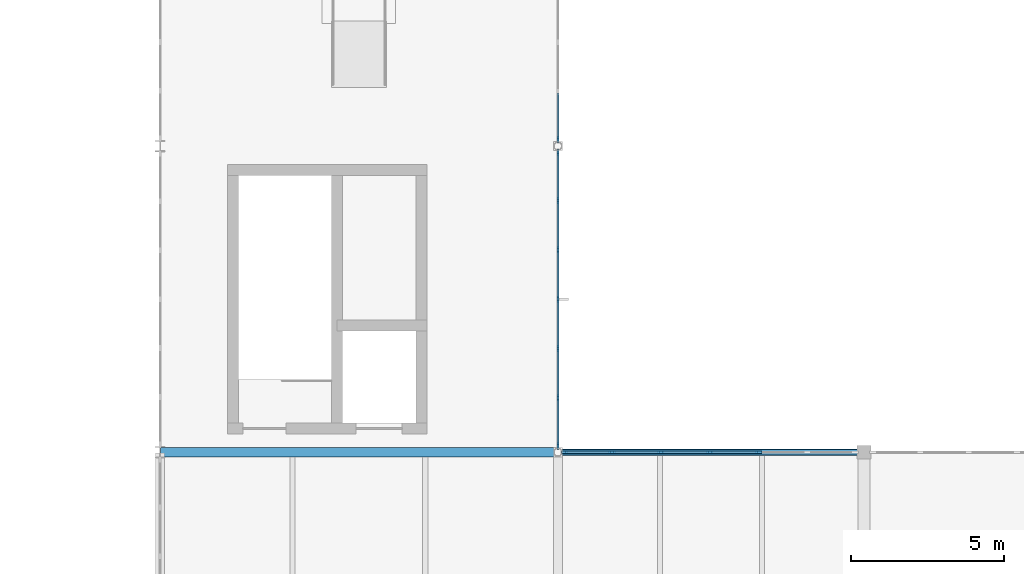
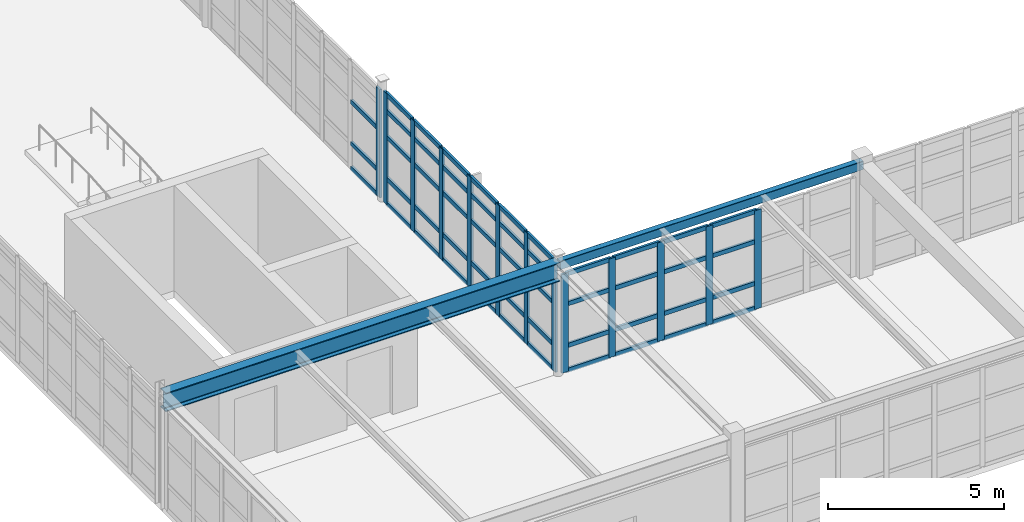
# One storey, part 67 of 122: 62 members, 2 beams, 3 elements without a shape of their own.
"""IFC4 building model written with IfcOpenShell, lengths in metres."""

from ifc_helpers import new_model, si_unit, direction, frame, origin, origin_2d, place, context, subcontext, project, spatial, rectangle, hollow_rectangle, i_section, extrude, material, layer, layer_set, material_profile, profile_set, type_object, element, aggregate, save


model = new_model("IFC4")

# Units and contexts
model_context = context("Model", 3, precision=1e-05, world=origin(), true_north=direction((0.0, 1.0)))
body_context = subcontext(model_context, "Body", "Model", "MODEL_VIEW")
ifc_project = project(units=[si_unit("LENGTHUNIT", "METRE"), si_unit("AREAUNIT", "SQUARE_METRE"), si_unit("VOLUMEUNIT", "CUBIC_METRE"), si_unit("PLANEANGLEUNIT", "RADIAN"), si_unit("MASSUNIT", "GRAM", prefix="KILO"), si_unit("THERMODYNAMICTEMPERATUREUNIT", "KELVIN"), si_unit("POWERUNIT", "WATT")], contexts=[model_context])

# Site, building, storey
site_placement = place(None, origin())
site = spatial("IfcSite", under=ifc_project, at=site_placement, CompositionType="ELEMENT")
building_placement = place(site_placement, origin())
building = spatial("IfcBuilding", under=site, at=building_placement, Name="Korenveer Ferry Terminal", CompositionType="ELEMENT")
storey_placement = place(building_placement, frame((0.0, 0.0, 10.199951171875)))
storey = spatial("IfcBuildingStorey", under=building, at=storey_placement, Name="L02", CompositionType="ELEMENT", Elevation=10.199951171875)

# Curtain wall, members
ifc_material_1 = material(Name="Unitised bronze-and-glass curtain wall", Category="glass")
ifc_layer_1 = layer(ifc_material_1, 0.219970703125)
ifc_layer_set_1 = layer_set([ifc_layer_1], Name="Unitised bronze-and-glass curtain wall")
curtain_wall_type_1 = type_object("IfcCurtainWallType", Name="ENV-CW-98", PredefinedType="USERDEFINED", material=ifc_layer_set_1)
curtain_wall_1_placement = place(storey_placement, frame((136.16650390625, 80.0, 0.0)))
curtain_wall_1 = element("IfcCurtainWall", 1, at=curtain_wall_1_placement, inside=storey, type_object=curtain_wall_type_1, Name="Lancet curtain wall CWX-L02-X136-146-Y80-80", ObjectType="UNITISED CURTAIN WALL", PredefinedType="USERDEFINED")
ifc_material_2 = material(Name="Anodised bronze aluminium", Category="aluminium")
ifc_material_profile_1 = material_profile(ifc_material_2, rectangle(XDim=0.074951171875, YDim=0.219970703125, at=origin_2d()), Name="ALU 75x220")
ifc_profile_set_1 = profile_set([ifc_material_profile_1], Name="Anodised bronze aluminium")
member_type_1 = type_object("IfcMemberType", Name="ENV-CWM-75X220", PredefinedType="MULLION", material=ifc_profile_set_1)
member_1_placement = place(storey_placement, frame((136.2041015625, 80.0, 0.0), z_axis=(0.0, 0.0, 1.0), x_axis=(0.0, 1.0, 0.0)))
member_1 = element("IfcMember", 2, at=member_1_placement, type_object=member_type_1, Name="CW-98 mullion 1", PredefinedType="MULLION", context=body_context, shape_type="SweptSolid", body=[
    extrude(rectangle(XDim=0.074951171875, YDim=0.219970703125, at=origin_2d()), origin(), (0.0, 0.0, 1.0), 3.429931640625),
])
member_2_placement = place(storey_placement, frame((137.762939453125, 80.0, 0.0), z_axis=(0.0, 0.0, 1.0), x_axis=(0.0, 1.0, 0.0)))
member_2 = element("IfcMember", 3, at=member_2_placement, type_object=member_type_1, Name="CW-98 mullion 2", PredefinedType="MULLION", context=body_context, shape_type="SweptSolid", body=[
    extrude(rectangle(XDim=0.074951171875, YDim=0.219970703125, at=origin_2d()), origin(), (0.0, 0.0, 1.0), 3.429931640625),
])
member_3_placement = place(storey_placement, frame((139.359375, 80.0, 0.0), z_axis=(0.0, 0.0, 1.0), x_axis=(0.0, 1.0, 0.0)))
member_3 = element("IfcMember", 4, at=member_3_placement, type_object=member_type_1, Name="CW-98 mullion 3", PredefinedType="MULLION", context=body_context, shape_type="SweptSolid", body=[
    extrude(rectangle(XDim=0.074951171875, YDim=0.219970703125, at=origin_2d()), origin(), (0.0, 0.0, 1.0), 3.429931640625),
])
member_4_placement = place(storey_placement, frame((140.955810546875, 80.0, 0.0), z_axis=(0.0, 0.0, 1.0), x_axis=(0.0, 1.0, 0.0)))
member_4 = element("IfcMember", 5, at=member_4_placement, type_object=member_type_1, Name="CW-98 mullion 4", PredefinedType="MULLION", context=body_context, shape_type="SweptSolid", body=[
    extrude(rectangle(XDim=0.074951171875, YDim=0.219970703125, at=origin_2d()), origin(), (0.0, 0.0, 1.0), 3.429931640625),
])
member_5_placement = place(storey_placement, frame((142.55224609375, 80.0, 0.0), z_axis=(0.0, 0.0, 1.0), x_axis=(0.0, 1.0, 0.0)))
member_5 = element("IfcMember", 6, at=member_5_placement, type_object=member_type_1, Name="CW-98 mullion 5", PredefinedType="MULLION", context=body_context, shape_type="SweptSolid", body=[
    extrude(rectangle(XDim=0.074951171875, YDim=0.219970703125, at=origin_2d()), origin(), (0.0, 0.0, 1.0), 3.429931640625),
])

ifc_layer_2 = layer(ifc_material_1, 0.219970703125)
ifc_layer_set_2 = layer_set([ifc_layer_2], Name="Unitised bronze-and-glass curtain wall")
curtain_wall_type_2 = type_object("IfcCurtainWallType", Name="ENV-CW-110", PredefinedType="USERDEFINED", material=ifc_layer_set_2)
curtain_wall_2_placement = place(storey_placement, frame((136.0, 89.83349609375, 0.0)))
curtain_wall_2 = element("IfcCurtainWall", 7, at=curtain_wall_2_placement, inside=storey, type_object=curtain_wall_type_2, Name="Lancet curtain wall CWX-L02-X136-136-Y80-90", ObjectType="UNITISED CURTAIN WALL", PredefinedType="USERDEFINED")
member_6_placement = place(storey_placement, frame((136.0, 89.7958984375, 0.0), z_axis=(0.0, 0.0, 1.0), x_axis=(1.0, 0.0, 0.0)))
member_6 = element("IfcMember", 8, at=member_6_placement, type_object=member_type_1, Name="CW-110 mullion 1", PredefinedType="MULLION", context=body_context, shape_type="SweptSolid", body=[
    extrude(rectangle(XDim=0.074951171875, YDim=0.219970703125, at=origin_2d()), origin(), (0.0, 0.0, 1.0), 3.860107421875),
])
member_7_placement = place(storey_placement, frame((136.0, 88.222412109375, 0.0), z_axis=(0.0, 0.0, 1.0), x_axis=(1.0, 0.0, 0.0)))
member_7 = element("IfcMember", 9, at=member_7_placement, type_object=member_type_1, Name="CW-110 mullion 2", PredefinedType="MULLION", context=body_context, shape_type="SweptSolid", body=[
    extrude(rectangle(XDim=0.074951171875, YDim=0.219970703125, at=origin_2d()), origin(), (0.0, 0.0, 1.0), 3.860107421875),
])
member_8_placement = place(storey_placement, frame((136.0, 86.611083984375, 0.0), z_axis=(0.0, 0.0, 1.0), x_axis=(1.0, 0.0, 0.0)))
member_8 = element("IfcMember", 10, at=member_8_placement, type_object=member_type_1, Name="CW-110 mullion 3", PredefinedType="MULLION", context=body_context, shape_type="SweptSolid", body=[
    extrude(rectangle(XDim=0.074951171875, YDim=0.219970703125, at=origin_2d()), origin(), (0.0, 0.0, 1.0), 3.860107421875),
])
member_9_placement = place(storey_placement, frame((136.0, 85.0, 0.0), z_axis=(0.0, 0.0, 1.0), x_axis=(1.0, 0.0, 0.0)))
member_9 = element("IfcMember", 11, at=member_9_placement, type_object=member_type_1, Name="CW-110 mullion 4", PredefinedType="MULLION", context=body_context, shape_type="SweptSolid", body=[
    extrude(rectangle(XDim=0.074951171875, YDim=0.219970703125, at=origin_2d()), origin(), (0.0, 0.0, 1.0), 3.860107421875),
])
member_10_placement = place(storey_placement, frame((136.0, 83.388916015625, 0.0), z_axis=(0.0, 0.0, 1.0), x_axis=(1.0, 0.0, 0.0)))
member_10 = element("IfcMember", 12, at=member_10_placement, type_object=member_type_1, Name="CW-110 mullion 5", PredefinedType="MULLION", context=body_context, shape_type="SweptSolid", body=[
    extrude(rectangle(XDim=0.074951171875, YDim=0.219970703125, at=origin_2d()), origin(), (0.0, 0.0, 1.0), 3.860107421875),
])
member_11_placement = place(storey_placement, frame((136.0, 81.777587890625, 0.0), z_axis=(0.0, 0.0, 1.0), x_axis=(1.0, 0.0, 0.0)))
member_11 = element("IfcMember", 13, at=member_11_placement, type_object=member_type_1, Name="CW-110 mullion 6", PredefinedType="MULLION", context=body_context, shape_type="SweptSolid", body=[
    extrude(rectangle(XDim=0.074951171875, YDim=0.219970703125, at=origin_2d()), origin(), (0.0, 0.0, 1.0), 3.860107421875),
])
member_12_placement = place(storey_placement, frame((136.0, 80.2041015625, 0.0), z_axis=(0.0, 0.0, 1.0), x_axis=(1.0, 0.0, 0.0)))
member_12 = element("IfcMember", 14, at=member_12_placement, type_object=member_type_1, Name="CW-110 mullion 7", PredefinedType="MULLION", context=body_context, shape_type="SweptSolid", body=[
    extrude(rectangle(XDim=0.074951171875, YDim=0.219970703125, at=origin_2d()), origin(), (0.0, 0.0, 1.0), 3.860107421875),
])

# Curtain wall, member
ifc_layer_3 = layer(ifc_material_1, 0.219970703125)
ifc_layer_set_3 = layer_set([ifc_layer_3], Name="Unitised bronze-and-glass curtain wall")
curtain_wall_type_3 = type_object("IfcCurtainWallType", Name="ENV-CW-111", PredefinedType="USERDEFINED", material=ifc_layer_set_3)
curtain_wall_3_placement = place(storey_placement, frame((136.0, 99.83349609375, 0.0)))
curtain_wall_3 = element("IfcCurtainWall", 15, at=curtain_wall_3_placement, inside=storey, type_object=curtain_wall_type_3, Name="Lancet curtain wall CWX-L02-X136-136-Y90-100", ObjectType="UNITISED CURTAIN WALL", PredefinedType="USERDEFINED")
member_13_placement = place(storey_placement, frame((136.0, 90.2041015625, 0.0), z_axis=(0.0, 0.0, 1.0), x_axis=(1.0, 0.0, 0.0)))
member_13 = element("IfcMember", 16, at=member_13_placement, type_object=member_type_1, Name="CW-111 mullion 7", PredefinedType="MULLION", context=body_context, shape_type="SweptSolid", body=[
    extrude(rectangle(XDim=0.074951171875, YDim=0.219970703125, at=origin_2d()), origin(), (0.0, 0.0, 1.0), 3.760009765625),
])

# Member
ifc_material_profile_2 = material_profile(ifc_material_2, rectangle(XDim=0.074951171875, YDim=0.14990234375, at=origin_2d()), Name="ALU 75x150")
ifc_profile_set_2 = profile_set([ifc_material_profile_2], Name="Anodised bronze aluminium")
member_type_2 = type_object("IfcMemberType", Name="ENV-CWT-75X150", PredefinedType="USERDEFINED", material=ifc_profile_set_2)
member_14_placement = place(storey_placement, frame((136.241455078125, 80.0, 0.03759765625), z_axis=(1.0, 0.0, 0.0), x_axis=(0.0, 1.0, 0.0)))
member_14 = element("IfcMember", 17, at=member_14_placement, type_object=member_type_2, Name="CW-98 transom 1.1", ObjectType="TRANSOM", PredefinedType="USERDEFINED", context=body_context, shape_type="SweptSolid", body=[
    extrude(rectangle(XDim=0.074951171875, YDim=0.14990234375, at=origin_2d()), origin(), (0.0, 0.0, 1.0), 1.48388671875),
])

member_15_placement = place(storey_placement, frame((136.241455078125, 80.0, 0.900146484375), z_axis=(1.0, 0.0, 0.0), x_axis=(0.0, 1.0, 0.0)))
member_15 = element("IfcMember", 18, at=member_15_placement, type_object=member_type_2, Name="CW-98 transom 1.2", ObjectType="TRANSOM", PredefinedType="USERDEFINED", context=body_context, shape_type="SweptSolid", body=[
    extrude(rectangle(XDim=0.074951171875, YDim=0.14990234375, at=origin_2d()), origin(), (0.0, 0.0, 1.0), 1.48388671875),
])

member_16_placement = place(storey_placement, frame((136.241455078125, 80.0, 2.35009765625), z_axis=(1.0, 0.0, 0.0), x_axis=(0.0, 1.0, 0.0)))
member_16 = element("IfcMember", 19, at=member_16_placement, type_object=member_type_2, Name="CW-98 transom 1.3", ObjectType="TRANSOM", PredefinedType="USERDEFINED", context=body_context, shape_type="SweptSolid", body=[
    extrude(rectangle(XDim=0.074951171875, YDim=0.14990234375, at=origin_2d()), origin(), (0.0, 0.0, 1.0), 1.48388671875),
])

member_17_placement = place(storey_placement, frame((136.241455078125, 80.0, 3.392578125), z_axis=(1.0, 0.0, 0.0), x_axis=(0.0, 1.0, 0.0)))
member_17 = element("IfcMember", 20, at=member_17_placement, type_object=member_type_2, Name="CW-98 transom 1.4", ObjectType="TRANSOM", PredefinedType="USERDEFINED", context=body_context, shape_type="SweptSolid", body=[
    extrude(rectangle(XDim=0.074951171875, YDim=0.14990234375, at=origin_2d()), origin(), (0.0, 0.0, 1.0), 1.48388671875),
])

member_18_placement = place(storey_placement, frame((137.800537109375, 80.0, 0.03759765625), z_axis=(1.0, 0.0, 0.0), x_axis=(0.0, 1.0, 0.0)))
member_18 = element("IfcMember", 21, at=member_18_placement, type_object=member_type_2, Name="CW-98 transom 2.1", ObjectType="TRANSOM", PredefinedType="USERDEFINED", context=body_context, shape_type="SweptSolid", body=[
    extrude(rectangle(XDim=0.074951171875, YDim=0.14990234375, at=origin_2d()), origin(), (0.0, 0.0, 1.0), 1.521240234375),
])

member_19_placement = place(storey_placement, frame((137.800537109375, 80.0, 0.900146484375), z_axis=(1.0, 0.0, 0.0), x_axis=(0.0, 1.0, 0.0)))
member_19 = element("IfcMember", 22, at=member_19_placement, type_object=member_type_2, Name="CW-98 transom 2.2", ObjectType="TRANSOM", PredefinedType="USERDEFINED", context=body_context, shape_type="SweptSolid", body=[
    extrude(rectangle(XDim=0.074951171875, YDim=0.14990234375, at=origin_2d()), origin(), (0.0, 0.0, 1.0), 1.521240234375),
])

member_20_placement = place(storey_placement, frame((137.800537109375, 80.0, 2.35009765625), z_axis=(1.0, 0.0, 0.0), x_axis=(0.0, 1.0, 0.0)))
member_20 = element("IfcMember", 23, at=member_20_placement, type_object=member_type_2, Name="CW-98 transom 2.3", ObjectType="TRANSOM", PredefinedType="USERDEFINED", context=body_context, shape_type="SweptSolid", body=[
    extrude(rectangle(XDim=0.074951171875, YDim=0.14990234375, at=origin_2d()), origin(), (0.0, 0.0, 1.0), 1.521240234375),
])

member_21_placement = place(storey_placement, frame((137.800537109375, 80.0, 3.392578125), z_axis=(1.0, 0.0, 0.0), x_axis=(0.0, 1.0, 0.0)))
member_21 = element("IfcMember", 24, at=member_21_placement, type_object=member_type_2, Name="CW-98 transom 2.4", ObjectType="TRANSOM", PredefinedType="USERDEFINED", context=body_context, shape_type="SweptSolid", body=[
    extrude(rectangle(XDim=0.074951171875, YDim=0.14990234375, at=origin_2d()), origin(), (0.0, 0.0, 1.0), 1.521240234375),
])

member_22_placement = place(storey_placement, frame((139.396728515625, 80.0, 0.03759765625), z_axis=(1.0, 0.0, 0.0), x_axis=(0.0, 1.0, 0.0)))
member_22 = element("IfcMember", 25, at=member_22_placement, type_object=member_type_2, Name="CW-98 transom 3.1", ObjectType="TRANSOM", PredefinedType="USERDEFINED", context=body_context, shape_type="SweptSolid", body=[
    extrude(rectangle(XDim=0.074951171875, YDim=0.14990234375, at=origin_2d()), origin(), (0.0, 0.0, 1.0), 1.521484375),
])

member_23_placement = place(storey_placement, frame((139.396728515625, 80.0, 0.900146484375), z_axis=(1.0, 0.0, 0.0), x_axis=(0.0, 1.0, 0.0)))
member_23 = element("IfcMember", 26, at=member_23_placement, type_object=member_type_2, Name="CW-98 transom 3.2", ObjectType="TRANSOM", PredefinedType="USERDEFINED", context=body_context, shape_type="SweptSolid", body=[
    extrude(rectangle(XDim=0.074951171875, YDim=0.14990234375, at=origin_2d()), origin(), (0.0, 0.0, 1.0), 1.521484375),
])

member_24_placement = place(storey_placement, frame((139.396728515625, 80.0, 2.35009765625), z_axis=(1.0, 0.0, 0.0), x_axis=(0.0, 1.0, 0.0)))
member_24 = element("IfcMember", 27, at=member_24_placement, type_object=member_type_2, Name="CW-98 transom 3.3", ObjectType="TRANSOM", PredefinedType="USERDEFINED", context=body_context, shape_type="SweptSolid", body=[
    extrude(rectangle(XDim=0.074951171875, YDim=0.14990234375, at=origin_2d()), origin(), (0.0, 0.0, 1.0), 1.521484375),
])

member_25_placement = place(storey_placement, frame((139.396728515625, 80.0, 3.392578125), z_axis=(1.0, 0.0, 0.0), x_axis=(0.0, 1.0, 0.0)))
member_25 = element("IfcMember", 28, at=member_25_placement, type_object=member_type_2, Name="CW-98 transom 3.4", ObjectType="TRANSOM", PredefinedType="USERDEFINED", context=body_context, shape_type="SweptSolid", body=[
    extrude(rectangle(XDim=0.074951171875, YDim=0.14990234375, at=origin_2d()), origin(), (0.0, 0.0, 1.0), 1.521484375),
])

member_26_placement = place(storey_placement, frame((140.9931640625, 80.0, 0.03759765625), z_axis=(1.0, 0.0, 0.0), x_axis=(0.0, 1.0, 0.0)))
member_26 = element("IfcMember", 29, at=member_26_placement, type_object=member_type_2, Name="CW-98 transom 4.1", ObjectType="TRANSOM", PredefinedType="USERDEFINED", context=body_context, shape_type="SweptSolid", body=[
    extrude(rectangle(XDim=0.074951171875, YDim=0.14990234375, at=origin_2d()), origin(), (0.0, 0.0, 1.0), 1.521484375),
])

member_27_placement = place(storey_placement, frame((140.9931640625, 80.0, 0.900146484375), z_axis=(1.0, 0.0, 0.0), x_axis=(0.0, 1.0, 0.0)))
member_27 = element("IfcMember", 30, at=member_27_placement, type_object=member_type_2, Name="CW-98 transom 4.2", ObjectType="TRANSOM", PredefinedType="USERDEFINED", context=body_context, shape_type="SweptSolid", body=[
    extrude(rectangle(XDim=0.074951171875, YDim=0.14990234375, at=origin_2d()), origin(), (0.0, 0.0, 1.0), 1.521484375),
])

member_28_placement = place(storey_placement, frame((140.9931640625, 80.0, 2.35009765625), z_axis=(1.0, 0.0, 0.0), x_axis=(0.0, 1.0, 0.0)))
member_28 = element("IfcMember", 31, at=member_28_placement, type_object=member_type_2, Name="CW-98 transom 4.3", ObjectType="TRANSOM", PredefinedType="USERDEFINED", context=body_context, shape_type="SweptSolid", body=[
    extrude(rectangle(XDim=0.074951171875, YDim=0.14990234375, at=origin_2d()), origin(), (0.0, 0.0, 1.0), 1.521484375),
])

member_29_placement = place(storey_placement, frame((140.9931640625, 80.0, 3.392578125), z_axis=(1.0, 0.0, 0.0), x_axis=(0.0, 1.0, 0.0)))
member_29 = element("IfcMember", 32, at=member_29_placement, type_object=member_type_2, Name="CW-98 transom 4.4", ObjectType="TRANSOM", PredefinedType="USERDEFINED", context=body_context, shape_type="SweptSolid", body=[
    extrude(rectangle(XDim=0.074951171875, YDim=0.14990234375, at=origin_2d()), origin(), (0.0, 0.0, 1.0), 1.521484375),
])

aggregate(curtain_wall_1, [member_1, member_2, member_3, member_4, member_5, member_14, member_15, member_16, member_17, member_18, member_19, member_20, member_21, member_22, member_23, member_24, member_25, member_26, member_27, member_28, member_29])

member_30_placement = place(storey_placement, frame((136.0, 89.758544921875, 0.03759765625), z_axis=(0.0, -1.0, 0.0), x_axis=(1.0, 0.0, 0.0)))
member_30 = element("IfcMember", 33, at=member_30_placement, type_object=member_type_2, Name="CW-110 transom 1.1", ObjectType="TRANSOM", PredefinedType="USERDEFINED", context=body_context, shape_type="SweptSolid", body=[
    extrude(rectangle(XDim=0.074951171875, YDim=0.14990234375, at=origin_2d()), origin(), (0.0, 0.0, 1.0), 1.498779296875),
])

member_31_placement = place(storey_placement, frame((136.0, 89.758544921875, 0.900146484375), z_axis=(0.0, -1.0, 0.0), x_axis=(1.0, 0.0, 0.0)))
member_31 = element("IfcMember", 34, at=member_31_placement, type_object=member_type_2, Name="CW-110 transom 1.2", ObjectType="TRANSOM", PredefinedType="USERDEFINED", context=body_context, shape_type="SweptSolid", body=[
    extrude(rectangle(XDim=0.074951171875, YDim=0.14990234375, at=origin_2d()), origin(), (0.0, 0.0, 1.0), 1.498779296875),
])

member_32_placement = place(storey_placement, frame((136.0, 89.758544921875, 2.35009765625), z_axis=(0.0, -1.0, 0.0), x_axis=(1.0, 0.0, 0.0)))
member_32 = element("IfcMember", 35, at=member_32_placement, type_object=member_type_2, Name="CW-110 transom 1.3", ObjectType="TRANSOM", PredefinedType="USERDEFINED", context=body_context, shape_type="SweptSolid", body=[
    extrude(rectangle(XDim=0.074951171875, YDim=0.14990234375, at=origin_2d()), origin(), (0.0, 0.0, 1.0), 1.498779296875),
])

member_33_placement = place(storey_placement, frame((136.0, 89.758544921875, 3.25), z_axis=(0.0, -1.0, 0.0), x_axis=(1.0, 0.0, 0.0)))
member_33 = element("IfcMember", 36, at=member_33_placement, type_object=member_type_2, Name="CW-110 transom 1.4", ObjectType="TRANSOM", PredefinedType="USERDEFINED", context=body_context, shape_type="SweptSolid", body=[
    extrude(rectangle(XDim=0.074951171875, YDim=0.14990234375, at=origin_2d()), origin(), (0.0, 0.0, 1.0), 1.498779296875),
])

member_34_placement = place(storey_placement, frame((136.0, 89.758544921875, 3.822509765625), z_axis=(0.0, -1.0, 0.0), x_axis=(1.0, 0.0, 0.0)))
member_34 = element("IfcMember", 37, at=member_34_placement, type_object=member_type_2, Name="CW-110 transom 1.5", ObjectType="TRANSOM", PredefinedType="USERDEFINED", context=body_context, shape_type="SweptSolid", body=[
    extrude(rectangle(XDim=0.074951171875, YDim=0.14990234375, at=origin_2d()), origin(), (0.0, 0.0, 1.0), 1.498779296875),
])

member_35_placement = place(storey_placement, frame((136.0, 88.184814453125, 0.03759765625), z_axis=(0.0, -1.0, 0.0), x_axis=(1.0, 0.0, 0.0)))
member_35 = element("IfcMember", 38, at=member_35_placement, type_object=member_type_2, Name="CW-110 transom 2.1", ObjectType="TRANSOM", PredefinedType="USERDEFINED", context=body_context, shape_type="SweptSolid", body=[
    extrude(rectangle(XDim=0.074951171875, YDim=0.14990234375, at=origin_2d()), origin(), (0.0, 0.0, 1.0), 1.5361328125),
])

member_36_placement = place(storey_placement, frame((136.0, 88.184814453125, 0.900146484375), z_axis=(0.0, -1.0, 0.0), x_axis=(1.0, 0.0, 0.0)))
member_36 = element("IfcMember", 39, at=member_36_placement, type_object=member_type_2, Name="CW-110 transom 2.2", ObjectType="TRANSOM", PredefinedType="USERDEFINED", context=body_context, shape_type="SweptSolid", body=[
    extrude(rectangle(XDim=0.074951171875, YDim=0.14990234375, at=origin_2d()), origin(), (0.0, 0.0, 1.0), 1.5361328125),
])

member_37_placement = place(storey_placement, frame((136.0, 88.184814453125, 2.35009765625), z_axis=(0.0, -1.0, 0.0), x_axis=(1.0, 0.0, 0.0)))
member_37 = element("IfcMember", 40, at=member_37_placement, type_object=member_type_2, Name="CW-110 transom 2.3", ObjectType="TRANSOM", PredefinedType="USERDEFINED", context=body_context, shape_type="SweptSolid", body=[
    extrude(rectangle(XDim=0.074951171875, YDim=0.14990234375, at=origin_2d()), origin(), (0.0, 0.0, 1.0), 1.5361328125),
])

member_38_placement = place(storey_placement, frame((136.0, 88.184814453125, 3.25), z_axis=(0.0, -1.0, 0.0), x_axis=(1.0, 0.0, 0.0)))
member_38 = element("IfcMember", 41, at=member_38_placement, type_object=member_type_2, Name="CW-110 transom 2.4", ObjectType="TRANSOM", PredefinedType="USERDEFINED", context=body_context, shape_type="SweptSolid", body=[
    extrude(rectangle(XDim=0.074951171875, YDim=0.14990234375, at=origin_2d()), origin(), (0.0, 0.0, 1.0), 1.5361328125),
])

member_39_placement = place(storey_placement, frame((136.0, 88.184814453125, 3.822509765625), z_axis=(0.0, -1.0, 0.0), x_axis=(1.0, 0.0, 0.0)))
member_39 = element("IfcMember", 42, at=member_39_placement, type_object=member_type_2, Name="CW-110 transom 2.5", ObjectType="TRANSOM", PredefinedType="USERDEFINED", context=body_context, shape_type="SweptSolid", body=[
    extrude(rectangle(XDim=0.074951171875, YDim=0.14990234375, at=origin_2d()), origin(), (0.0, 0.0, 1.0), 1.5361328125),
])

member_40_placement = place(storey_placement, frame((136.0, 86.57373046875, 0.03759765625), z_axis=(0.0, -1.0, 0.0), x_axis=(1.0, 0.0, 0.0)))
member_40 = element("IfcMember", 43, at=member_40_placement, type_object=member_type_2, Name="CW-110 transom 3.1", ObjectType="TRANSOM", PredefinedType="USERDEFINED", context=body_context, shape_type="SweptSolid", body=[
    extrude(rectangle(XDim=0.074951171875, YDim=0.14990234375, at=origin_2d()), origin(), (0.0, 0.0, 1.0), 1.5361328125),
])

member_41_placement = place(storey_placement, frame((136.0, 86.57373046875, 0.900146484375), z_axis=(0.0, -1.0, 0.0), x_axis=(1.0, 0.0, 0.0)))
member_41 = element("IfcMember", 44, at=member_41_placement, type_object=member_type_2, Name="CW-110 transom 3.2", ObjectType="TRANSOM", PredefinedType="USERDEFINED", context=body_context, shape_type="SweptSolid", body=[
    extrude(rectangle(XDim=0.074951171875, YDim=0.14990234375, at=origin_2d()), origin(), (0.0, 0.0, 1.0), 1.5361328125),
])

member_42_placement = place(storey_placement, frame((136.0, 86.57373046875, 2.35009765625), z_axis=(0.0, -1.0, 0.0), x_axis=(1.0, 0.0, 0.0)))
member_42 = element("IfcMember", 45, at=member_42_placement, type_object=member_type_2, Name="CW-110 transom 3.3", ObjectType="TRANSOM", PredefinedType="USERDEFINED", context=body_context, shape_type="SweptSolid", body=[
    extrude(rectangle(XDim=0.074951171875, YDim=0.14990234375, at=origin_2d()), origin(), (0.0, 0.0, 1.0), 1.5361328125),
])

member_43_placement = place(storey_placement, frame((136.0, 86.57373046875, 3.25), z_axis=(0.0, -1.0, 0.0), x_axis=(1.0, 0.0, 0.0)))
member_43 = element("IfcMember", 46, at=member_43_placement, type_object=member_type_2, Name="CW-110 transom 3.4", ObjectType="TRANSOM", PredefinedType="USERDEFINED", context=body_context, shape_type="SweptSolid", body=[
    extrude(rectangle(XDim=0.074951171875, YDim=0.14990234375, at=origin_2d()), origin(), (0.0, 0.0, 1.0), 1.5361328125),
])

member_44_placement = place(storey_placement, frame((136.0, 86.57373046875, 3.822509765625), z_axis=(0.0, -1.0, 0.0), x_axis=(1.0, 0.0, 0.0)))
member_44 = element("IfcMember", 47, at=member_44_placement, type_object=member_type_2, Name="CW-110 transom 3.5", ObjectType="TRANSOM", PredefinedType="USERDEFINED", context=body_context, shape_type="SweptSolid", body=[
    extrude(rectangle(XDim=0.074951171875, YDim=0.14990234375, at=origin_2d()), origin(), (0.0, 0.0, 1.0), 1.5361328125),
])

member_45_placement = place(storey_placement, frame((136.0, 84.96240234375, 0.03759765625), z_axis=(0.0, -1.0, 0.0), x_axis=(1.0, 0.0, 0.0)))
member_45 = element("IfcMember", 48, at=member_45_placement, type_object=member_type_2, Name="CW-110 transom 4.1", ObjectType="TRANSOM", PredefinedType="USERDEFINED", context=body_context, shape_type="SweptSolid", body=[
    extrude(rectangle(XDim=0.074951171875, YDim=0.14990234375, at=origin_2d()), origin(), (0.0, 0.0, 1.0), 1.5361328125),
])

member_46_placement = place(storey_placement, frame((136.0, 84.96240234375, 0.900146484375), z_axis=(0.0, -1.0, 0.0), x_axis=(1.0, 0.0, 0.0)))
member_46 = element("IfcMember", 49, at=member_46_placement, type_object=member_type_2, Name="CW-110 transom 4.2", ObjectType="TRANSOM", PredefinedType="USERDEFINED", context=body_context, shape_type="SweptSolid", body=[
    extrude(rectangle(XDim=0.074951171875, YDim=0.14990234375, at=origin_2d()), origin(), (0.0, 0.0, 1.0), 1.5361328125),
])

member_47_placement = place(storey_placement, frame((136.0, 84.96240234375, 2.35009765625), z_axis=(0.0, -1.0, 0.0), x_axis=(1.0, 0.0, 0.0)))
member_47 = element("IfcMember", 50, at=member_47_placement, type_object=member_type_2, Name="CW-110 transom 4.3", ObjectType="TRANSOM", PredefinedType="USERDEFINED", context=body_context, shape_type="SweptSolid", body=[
    extrude(rectangle(XDim=0.074951171875, YDim=0.14990234375, at=origin_2d()), origin(), (0.0, 0.0, 1.0), 1.5361328125),
])

member_48_placement = place(storey_placement, frame((136.0, 84.96240234375, 3.25), z_axis=(0.0, -1.0, 0.0), x_axis=(1.0, 0.0, 0.0)))
member_48 = element("IfcMember", 51, at=member_48_placement, type_object=member_type_2, Name="CW-110 transom 4.4", ObjectType="TRANSOM", PredefinedType="USERDEFINED", context=body_context, shape_type="SweptSolid", body=[
    extrude(rectangle(XDim=0.074951171875, YDim=0.14990234375, at=origin_2d()), origin(), (0.0, 0.0, 1.0), 1.5361328125),
])

member_49_placement = place(storey_placement, frame((136.0, 84.96240234375, 3.822509765625), z_axis=(0.0, -1.0, 0.0), x_axis=(1.0, 0.0, 0.0)))
member_49 = element("IfcMember", 52, at=member_49_placement, type_object=member_type_2, Name="CW-110 transom 4.5", ObjectType="TRANSOM", PredefinedType="USERDEFINED", context=body_context, shape_type="SweptSolid", body=[
    extrude(rectangle(XDim=0.074951171875, YDim=0.14990234375, at=origin_2d()), origin(), (0.0, 0.0, 1.0), 1.5361328125),
])

member_50_placement = place(storey_placement, frame((136.0, 83.351318359375, 0.03759765625), z_axis=(0.0, -1.0, 0.0), x_axis=(1.0, 0.0, 0.0)))
member_50 = element("IfcMember", 53, at=member_50_placement, type_object=member_type_2, Name="CW-110 transom 5.1", ObjectType="TRANSOM", PredefinedType="USERDEFINED", context=body_context, shape_type="SweptSolid", body=[
    extrude(rectangle(XDim=0.074951171875, YDim=0.14990234375, at=origin_2d()), origin(), (0.0, 0.0, 1.0), 1.5361328125),
])

member_51_placement = place(storey_placement, frame((136.0, 83.351318359375, 0.900146484375), z_axis=(0.0, -1.0, 0.0), x_axis=(1.0, 0.0, 0.0)))
member_51 = element("IfcMember", 54, at=member_51_placement, type_object=member_type_2, Name="CW-110 transom 5.2", ObjectType="TRANSOM", PredefinedType="USERDEFINED", context=body_context, shape_type="SweptSolid", body=[
    extrude(rectangle(XDim=0.074951171875, YDim=0.14990234375, at=origin_2d()), origin(), (0.0, 0.0, 1.0), 1.5361328125),
])

member_52_placement = place(storey_placement, frame((136.0, 83.351318359375, 2.35009765625), z_axis=(0.0, -1.0, 0.0), x_axis=(1.0, 0.0, 0.0)))
member_52 = element("IfcMember", 55, at=member_52_placement, type_object=member_type_2, Name="CW-110 transom 5.3", ObjectType="TRANSOM", PredefinedType="USERDEFINED", context=body_context, shape_type="SweptSolid", body=[
    extrude(rectangle(XDim=0.074951171875, YDim=0.14990234375, at=origin_2d()), origin(), (0.0, 0.0, 1.0), 1.5361328125),
])

member_53_placement = place(storey_placement, frame((136.0, 83.351318359375, 3.25), z_axis=(0.0, -1.0, 0.0), x_axis=(1.0, 0.0, 0.0)))
member_53 = element("IfcMember", 56, at=member_53_placement, type_object=member_type_2, Name="CW-110 transom 5.4", ObjectType="TRANSOM", PredefinedType="USERDEFINED", context=body_context, shape_type="SweptSolid", body=[
    extrude(rectangle(XDim=0.074951171875, YDim=0.14990234375, at=origin_2d()), origin(), (0.0, 0.0, 1.0), 1.5361328125),
])

member_54_placement = place(storey_placement, frame((136.0, 83.351318359375, 3.822509765625), z_axis=(0.0, -1.0, 0.0), x_axis=(1.0, 0.0, 0.0)))
member_54 = element("IfcMember", 57, at=member_54_placement, type_object=member_type_2, Name="CW-110 transom 5.5", ObjectType="TRANSOM", PredefinedType="USERDEFINED", context=body_context, shape_type="SweptSolid", body=[
    extrude(rectangle(XDim=0.074951171875, YDim=0.14990234375, at=origin_2d()), origin(), (0.0, 0.0, 1.0), 1.5361328125),
])

member_55_placement = place(storey_placement, frame((136.0, 81.740234375, 0.03759765625), z_axis=(0.0, -1.0, 0.0), x_axis=(1.0, 0.0, 0.0)))
member_55 = element("IfcMember", 58, at=member_55_placement, type_object=member_type_2, Name="CW-110 transom 6.1", ObjectType="TRANSOM", PredefinedType="USERDEFINED", context=body_context, shape_type="SweptSolid", body=[
    extrude(rectangle(XDim=0.074951171875, YDim=0.14990234375, at=origin_2d()), origin(), (0.0, 0.0, 1.0), 1.498779296875),
])

member_56_placement = place(storey_placement, frame((136.0, 81.740234375, 0.900146484375), z_axis=(0.0, -1.0, 0.0), x_axis=(1.0, 0.0, 0.0)))
member_56 = element("IfcMember", 59, at=member_56_placement, type_object=member_type_2, Name="CW-110 transom 6.2", ObjectType="TRANSOM", PredefinedType="USERDEFINED", context=body_context, shape_type="SweptSolid", body=[
    extrude(rectangle(XDim=0.074951171875, YDim=0.14990234375, at=origin_2d()), origin(), (0.0, 0.0, 1.0), 1.498779296875),
])

member_57_placement = place(storey_placement, frame((136.0, 81.740234375, 2.35009765625), z_axis=(0.0, -1.0, 0.0), x_axis=(1.0, 0.0, 0.0)))
member_57 = element("IfcMember", 60, at=member_57_placement, type_object=member_type_2, Name="CW-110 transom 6.3", ObjectType="TRANSOM", PredefinedType="USERDEFINED", context=body_context, shape_type="SweptSolid", body=[
    extrude(rectangle(XDim=0.074951171875, YDim=0.14990234375, at=origin_2d()), origin(), (0.0, 0.0, 1.0), 1.498779296875),
])

member_58_placement = place(storey_placement, frame((136.0, 81.740234375, 3.25), z_axis=(0.0, -1.0, 0.0), x_axis=(1.0, 0.0, 0.0)))
member_58 = element("IfcMember", 61, at=member_58_placement, type_object=member_type_2, Name="CW-110 transom 6.4", ObjectType="TRANSOM", PredefinedType="USERDEFINED", context=body_context, shape_type="SweptSolid", body=[
    extrude(rectangle(XDim=0.074951171875, YDim=0.14990234375, at=origin_2d()), origin(), (0.0, 0.0, 1.0), 1.498779296875),
])

member_59_placement = place(storey_placement, frame((136.0, 81.740234375, 3.822509765625), z_axis=(0.0, -1.0, 0.0), x_axis=(1.0, 0.0, 0.0)))
member_59 = element("IfcMember", 62, at=member_59_placement, type_object=member_type_2, Name="CW-110 transom 6.5", ObjectType="TRANSOM", PredefinedType="USERDEFINED", context=body_context, shape_type="SweptSolid", body=[
    extrude(rectangle(XDim=0.074951171875, YDim=0.14990234375, at=origin_2d()), origin(), (0.0, 0.0, 1.0), 1.498779296875),
])

aggregate(curtain_wall_2, [member_6, member_7, member_8, member_9, member_10, member_11, member_12, member_30, member_31, member_32, member_33, member_34, member_35, member_36, member_37, member_38, member_39, member_40, member_41, member_42, member_43, member_44, member_45, member_46, member_47, member_48, member_49, member_50, member_51, member_52, member_53, member_54, member_55, member_56, member_57, member_58, member_59])

member_60_placement = place(storey_placement, frame((136.0, 91.740234375, 0.03759765625), z_axis=(0.0, -1.0, 0.0), x_axis=(1.0, 0.0, 0.0)))
member_60 = element("IfcMember", 63, at=member_60_placement, type_object=member_type_2, Name="CW-111 transom 6.1", ObjectType="TRANSOM", PredefinedType="USERDEFINED", context=body_context, shape_type="SweptSolid", body=[
    extrude(rectangle(XDim=0.074951171875, YDim=0.14990234375, at=origin_2d()), origin(), (0.0, 0.0, 1.0), 1.498779296875),
])

member_61_placement = place(storey_placement, frame((136.0, 91.740234375, 0.900146484375), z_axis=(0.0, -1.0, 0.0), x_axis=(1.0, 0.0, 0.0)))
member_61 = element("IfcMember", 64, at=member_61_placement, type_object=member_type_2, Name="CW-111 transom 6.2", ObjectType="TRANSOM", PredefinedType="USERDEFINED", context=body_context, shape_type="SweptSolid", body=[
    extrude(rectangle(XDim=0.074951171875, YDim=0.14990234375, at=origin_2d()), origin(), (0.0, 0.0, 1.0), 1.498779296875),
])

member_62_placement = place(storey_placement, frame((136.0, 91.740234375, 2.35009765625), z_axis=(0.0, -1.0, 0.0), x_axis=(1.0, 0.0, 0.0)))
member_62 = element("IfcMember", 65, at=member_62_placement, type_object=member_type_2, Name="CW-111 transom 6.3", ObjectType="TRANSOM", PredefinedType="USERDEFINED", context=body_context, shape_type="SweptSolid", body=[
    extrude(rectangle(XDim=0.074951171875, YDim=0.14990234375, at=origin_2d()), origin(), (0.0, 0.0, 1.0), 1.498779296875),
])

aggregate(curtain_wall_3, [member_13, member_60, member_61, member_62])

# Beams
ifc_material_3 = material(Name="Steel S355", Category="steel")
ifc_material_profile_3 = material_profile(ifc_material_3, i_section(OverallWidth=0.300048828125, OverallDepth=0.64990234375, WebThickness=0.01611328125, FlangeThickness=0.031005859375, FilletRadius=0.027099609375, at=origin_2d()), Name="HEB 650")
ifc_profile_set_3 = profile_set([ifc_material_profile_3], Name="Steel S355")
beam_type_1 = type_object("IfcBeamType", Name="STR-BM-HEB650", PredefinedType="BEAM", material=ifc_profile_set_3)
beam_1_placement = place(storey_placement, frame((123.02001953125, 80.0, 3.635009765625), z_axis=(1.0, 0.0, 0.0), x_axis=(0.0, 1.0, 0.0)))
element("IfcBeam", 66, at=beam_1_placement, inside=storey, type_object=beam_type_1, Name="Primary X girder BMX-L03-X123-136-Y80", PredefinedType="BEAM", context=body_context, shape_type="SweptSolid", body=[
    extrude(i_section(OverallWidth=0.300048828125, OverallDepth=0.64990234375, WebThickness=0.01611328125, FlangeThickness=0.031005859375, FilletRadius=0.027099609375, at=origin_2d()), origin(), (0.0, 0.0, 1.0), 12.9599609375),
])
ifc_material_profile_4 = material_profile(ifc_material_3, hollow_rectangle(XDim=0.199951171875, YDim=0.300048828125, WallThickness=0.012451171875, InnerFilletRadius=0.012451171875, OuterFilletRadius=0.018798828125, at=origin_2d()), Name="RHS 300x200x12.5")
ifc_profile_set_4 = profile_set([ifc_material_profile_4], Name="Steel S355")
beam_type_2 = type_object("IfcBeamType", Name="STR-SPD-RHS300", PredefinedType="SPANDREL", material=ifc_profile_set_4)
beam_2_placement = place(storey_placement, frame((136.02001953125, 80.0, 3.81005859375), z_axis=(1.0, 0.0, 0.0), x_axis=(0.0, 1.0, 0.0)))
element("IfcBeam", 67, at=beam_2_placement, inside=storey, type_object=beam_type_2, Name="Primary X girder BMX-L03-X136-146-Y80", PredefinedType="SPANDREL", context=body_context, shape_type="SweptSolid", body=[
    extrude(hollow_rectangle(XDim=0.199951171875, YDim=0.300048828125, WallThickness=0.012451171875, InnerFilletRadius=0.012451171875, OuterFilletRadius=0.018798828125, at=origin_2d()), origin(), (0.0, 0.0, 1.0), 9.9599609375),
])

save(model, "model.ifc")
